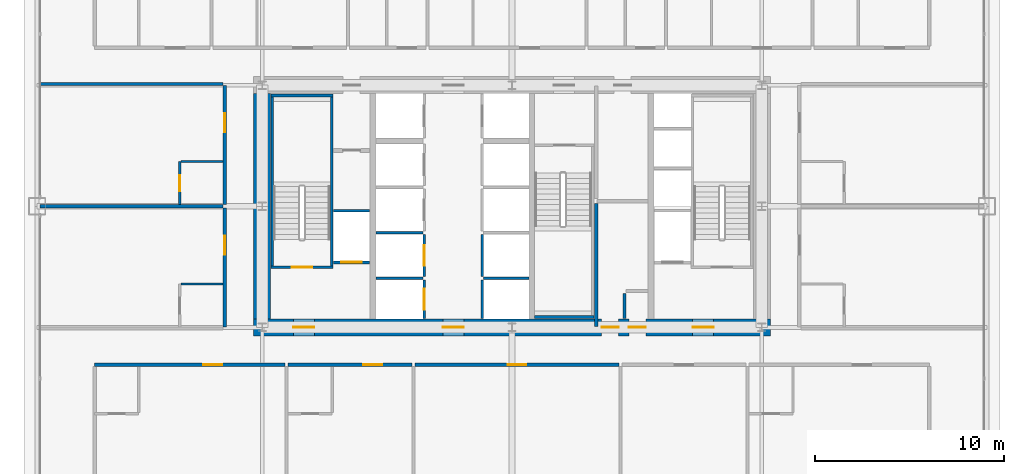
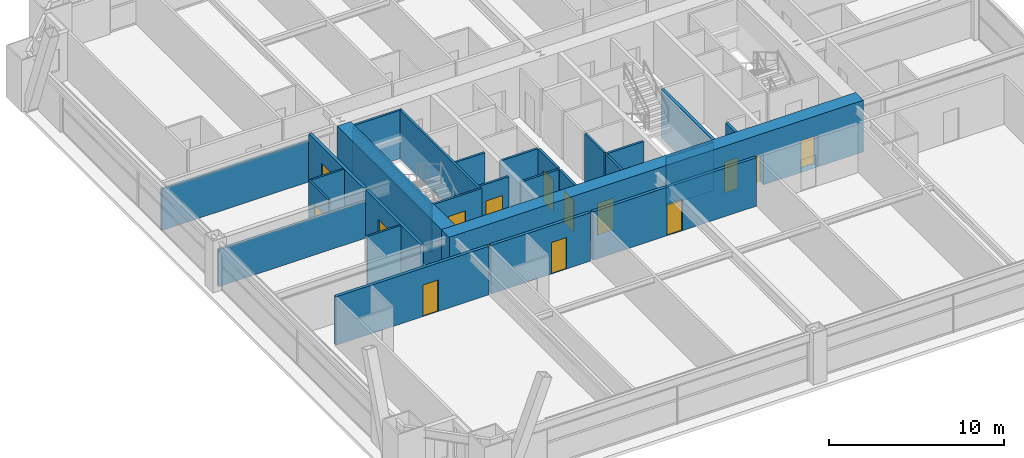
# One storey, part 39 of 43: 28 walls, 15 doors, 15 openings.
"""IFC4 building model written with IfcOpenShell, lengths in metres."""

import ifcopenshell
import ifcopenshell.guid

model = None  # the IFC model being written
_history = None  # IfcOwnerHistory: only IFC2X3 demands one
_inside = {}  # id of a spatial element -> (the spatial element, [elements in it])
_under = {}  # id of a project, library or spatial element -> (it, [spatial elements below it])
_declared = {}  # id of a project -> (the project, [libraries it declares])
_typed = {}  # id of a type object -> (the type object, [elements of that type])
_made_of = {}  # id of a material, layer set ... -> (it, [elements and type objects made of it])


def new_model(schema):
    """Start an empty IFC model of exactly this schema.

    Asked for "IFC4X3", IfcOpenShell would pick the latest addendum, in which some entities
    have other attributes; the version numbers below select the first issue.
    IFC2X3 requires an IfcOwnerHistory on every rooted entity: one is made here for all.
    """
    global model, _history
    if schema == "IFC4X3":
        model = ifcopenshell.file(schema_version=(4, 3, 0, 0))
    else:
        model = ifcopenshell.file(schema=schema)
    _inside.clear()
    _under.clear()
    _declared.clear()
    _typed.clear()
    _made_of.clear()
    _history = None
    if model.schema == "IFC2X3":
        org = make("IfcOrganization", Name="unknown")
        user = make(
            "IfcPersonAndOrganization",
            ThePerson=make("IfcPerson", FamilyName="unknown"),
            TheOrganization=org,
        )
        app = make(
            "IfcApplication",
            ApplicationDeveloper=org,
            Version="unknown",
            ApplicationFullName="unknown",
            ApplicationIdentifier="unknown",
        )
        _history = make(
            "IfcOwnerHistory",
            OwningUser=user,
            OwningApplication=app,
            ChangeAction="ADDED",
            CreationDate=0,
        )
    return model


def make(cls, **values):
    """One entity of the class cls with the attributes given. An attribute that is None is left unset."""
    return model.create_entity(
        cls, **{name: value for name, value in values.items() if value is not None}
    )


def rooted(cls, **values):
    """An entity with a GlobalId (a new one), such as an element, a storey or a relation."""
    return make(cls, GlobalId=ifcopenshell.guid.new(), OwnerHistory=_history, **values)


def si_unit(unit_type, name, prefix=None):
    """IfcSIUnit, for example si_unit("LENGTHUNIT", "METRE", prefix="MILLI")."""
    return make("IfcSIUnit", UnitType=unit_type, Prefix=prefix, Name=name)


def assignment(units):
    """IfcUnitAssignment: the units of a project."""
    return None if units is None else make("IfcUnitAssignment", Units=units)


def point(xyz):
    """IfcCartesianPoint."""
    return None if xyz is None else make("IfcCartesianPoint", Coordinates=xyz)


def direction(xyz):
    """IfcDirection."""
    return None if xyz is None else make("IfcDirection", DirectionRatios=xyz)


def frame(location, z_axis=None, x_axis=None):
    """IfcAxis2Placement3D, a coordinate frame: its origin and axes. An axis left out is left unset."""
    return make(
        "IfcAxis2Placement3D",
        Location=point(location),
        Axis=direction(z_axis),
        RefDirection=direction(x_axis),
    )


def frame_2d(location, x_axis=None):
    """IfcAxis2Placement2D, a coordinate frame in the plane: its origin and x axis."""
    return make(
        "IfcAxis2Placement2D", Location=point(location), RefDirection=direction(x_axis)
    )


def origin():
    """The frame at (0, 0, 0) with its axes left unset."""
    return frame((0.0, 0.0, 0.0))


def place(relative_to, where):
    """IfcLocalPlacement: puts the frame where relative to a parent placement (None: the world)."""
    return make(
        "IfcLocalPlacement", PlacementRelTo=relative_to, RelativePlacement=where
    )


def context(
    kind, dimensions, precision=None, world=None, true_north=None, identifier=None
):
    """IfcGeometricRepresentationContext, for example the 3D "Model" context."""
    return make(
        "IfcGeometricRepresentationContext",
        ContextIdentifier=identifier,
        ContextType=kind,
        CoordinateSpaceDimension=dimensions,
        Precision=precision,
        WorldCoordinateSystem=world,
        TrueNorth=true_north,
    )


def subcontext(parent, identifier, kind, view, scale=None):
    """IfcGeometricRepresentationSubContext, for example "Body" below "Model"."""
    return make(
        "IfcGeometricRepresentationSubContext",
        ContextIdentifier=identifier,
        ContextType=kind,
        ParentContext=parent,
        TargetScale=scale,
        TargetView=view,
    )


def project(units=None, contexts=None):
    """IfcProject with its units and contexts."""
    return rooted(
        "IfcProject",
        Name="project",
        RepresentationContexts=contexts,
        UnitsInContext=assignment(units),
    )


def spatial(cls, under=None, at=None, **own):
    """A site, building, storey or space (cls), placed at a placement, below another one or the project."""
    s = rooted(cls, ObjectPlacement=at, **own)
    if under is not None:
        _under.setdefault(under.id(), (under, []))[1].append(s)
    return s


def profile(cls, at=None, kind="AREA", **sizes):
    """A parametric profile (cls). Its sizes go by their IFC names, for example OverallWidth=200.0."""
    return make(cls, ProfileType=kind, Position=at, **sizes)


def rectangle(**sizes):
    """IfcRectangleProfileDef."""
    return profile("IfcRectangleProfileDef", **sizes)


def extrude(swept, where, along, depth):
    """IfcExtrudedAreaSolid: the profile swept, set in the frame where, extruded along a direction by depth."""
    return make(
        "IfcExtrudedAreaSolid",
        SweptArea=swept,
        Position=where,
        ExtrudedDirection=direction(along),
        Depth=depth,
    )


def shape(context_of_items, identifier, shape_type, items):
    """IfcShapeRepresentation: the items that make up one representation, for example the "Body"."""
    return make(
        "IfcShapeRepresentation",
        ContextOfItems=context_of_items,
        RepresentationIdentifier=identifier,
        RepresentationType=shape_type,
        Items=items,
    )


def source(mapping_origin, context_of_items, identifier, shape_type, items):
    """IfcRepresentationMap: a shape defined once, which mapped items show again and again."""
    return make(
        "IfcRepresentationMap",
        MappingOrigin=mapping_origin,
        MappedRepresentation=shape(context_of_items, identifier, shape_type, items),
    )


def transform(
    local_origin,
    x_axis=None,
    y_axis=None,
    z_axis=None,
    scale=None,
    scale2=None,
    scale3=None,
    uniform=True,
):
    """IfcCartesianTransformationOperator3D, or its non-uniform kind. x_axis, y_axis, z_axis: its Axis1, 2, 3."""
    if uniform:
        return make(
            "IfcCartesianTransformationOperator3D",
            Axis1=direction(x_axis),
            Axis2=direction(y_axis),
            LocalOrigin=point(local_origin),
            Scale=scale,
            Axis3=direction(z_axis),
        )
    return make(
        "IfcCartesianTransformationOperator3DnonUniform",
        Axis1=direction(x_axis),
        Axis2=direction(y_axis),
        LocalOrigin=point(local_origin),
        Scale=scale,
        Axis3=direction(z_axis),
        Scale2=scale2,
        Scale3=scale3,
    )


def mapped(mapping_source, mapping_target):
    """IfcMappedItem: shows the shape of a source again, moved by a transform."""
    return make(
        "IfcMappedItem", MappingSource=mapping_source, MappingTarget=mapping_target
    )


def material(Name=None, Category=None):
    """IfcMaterial."""
    return make("IfcMaterial", Name=Name, Category=Category)


def layer(
    of_material, thickness, ventilated=None, Name=None, Category=None, Priority=None
):
    """IfcMaterialLayer: one layer of a wall or slab, of a material (None: an air gap)."""
    return make(
        "IfcMaterialLayer",
        Material=of_material,
        LayerThickness=thickness,
        IsVentilated=ventilated,
        Name=Name,
        Category=Category,
        Priority=Priority,
    )


def layer_set(layers, Name=None):
    """IfcMaterialLayerSet."""
    return make("IfcMaterialLayerSet", MaterialLayers=layers, LayerSetName=Name)


def made_of(thing, what):
    """Note that an element or type object is made of a material, layer set ...; save() writes the relation."""
    if what is not None:
        _made_of.setdefault(what.id(), (what, []))[1].append(thing)
    return thing


def type_object(cls, material=None, **own):
    """A type object (cls), such as IfcWallType, which elements share."""
    return made_of(rooted(cls, **own), material)


def element(
    cls,
    number,
    at=None,
    inside=None,
    cuts=None,
    type_object=None,
    material=None,
    context=None,
    identifier="Body",
    shape_type=None,
    held_by="IfcProductDefinitionShape",
    body=None,
    shapes=None,
    **own,
):
    """One element of the class cls, such as IfcWall. Its Tag is "e" and its number.

    at: its placement. inside: the storey or other place that contains it. cuts: it is an
    opening in that element (IfcRelVoidsElement). A single representation is given by context,
    identifier, shape_type and body (its items); several are given by shapes. held_by: the class
    of the entity that holds the representations. save() writes the other relations.
    """
    e = rooted(cls, Tag="e%d" % number, ObjectPlacement=at, **own)
    if body is not None:
        shapes = [shape(context, identifier, shape_type, body)]
    if shapes is not None:
        e.Representation = make(held_by, Representations=shapes)
    if inside is not None:
        _inside.setdefault(inside.id(), (inside, []))[1].append(e)
    if cuts is not None:
        rooted(
            "IfcRelVoidsElement", RelatingBuildingElement=cuts, RelatedOpeningElement=e
        )
    if type_object is not None:
        _typed.setdefault(type_object.id(), (type_object, []))[1].append(e)
    return made_of(e, material)


def fill(opening, filler):
    """IfcRelFillsElement: the door or window that sits in an opening."""
    return rooted(
        "IfcRelFillsElement",
        RelatingOpeningElement=opening,
        RelatedBuildingElement=filler,
    )


def aggregate(whole, parts):
    """IfcRelAggregates: a whole, such as a stair, and the parts it consists of."""
    return rooted("IfcRelAggregates", RelatingObject=whole, RelatedObjects=parts)


def save(model, path):
    """Write the relations noted so far, then the file.

    IfcRelAggregates (storeys below a building ...), IfcRelContainedInSpatialStructure (elements
    in a storey), IfcRelDefinesByType, IfcRelAssociatesMaterial and IfcRelDeclares: one each for
    every whole, place, type object, material and project.
    """
    for whole, parts in _under.values():
        aggregate(whole, parts)
    for where, things in _inside.values():
        rooted(
            "IfcRelContainedInSpatialStructure",
            RelatedElements=things,
            RelatingStructure=where,
        )
    for kind, things in _typed.values():
        rooted("IfcRelDefinesByType", RelatedObjects=things, RelatingType=kind)
    for what, things in _made_of.values():
        rooted("IfcRelAssociatesMaterial", RelatedObjects=things, RelatingMaterial=what)
    for by, libraries in _declared.values():
        rooted("IfcRelDeclares", RelatingContext=by, RelatedDefinitions=libraries)
    model.write(path)


model = new_model("IFC4")

# Units and contexts
model_context = context("Model", 3, precision=1e-05, world=origin(), true_north=direction((0.0, 1.0)))
body_context = subcontext(model_context, "Body", "Model", "MODEL_VIEW")
ifc_project = project(units=[si_unit("LENGTHUNIT", "METRE"), si_unit("AREAUNIT", "SQUARE_METRE"), si_unit("VOLUMEUNIT", "CUBIC_METRE"), si_unit("PLANEANGLEUNIT", "RADIAN"), si_unit("MASSUNIT", "GRAM", prefix="KILO"), si_unit("THERMODYNAMICTEMPERATUREUNIT", "KELVIN"), si_unit("POWERUNIT", "WATT")], contexts=[model_context])

# Site, building, storey
site_placement = place(None, origin())
site = spatial("IfcSite", under=ifc_project, at=site_placement, CompositionType="ELEMENT")
building_placement = place(site_placement, origin())
building = spatial("IfcBuilding", under=site, at=building_placement, Name="Yuzanri Waterfront Tower", CompositionType="ELEMENT")
storey_placement = place(building_placement, frame((0.0, 0.0, 46.0)))
storey = spatial("IfcBuildingStorey", under=building, at=storey_placement, Name="L11", CompositionType="ELEMENT", Elevation=46.0)

# Wall, opening, door
ifc_material_1 = material(Name="Moisture-Resistant Gypsum Stud Wall", Category="gypsum")
ifc_layer_1 = layer(ifc_material_1, 0.1201171875)
ifc_layer_set_1 = layer_set([ifc_layer_1], Name="Moisture-Resistant Gypsum Stud Wall")
wall_type_1 = type_object("IfcWallType", Name="Bathroom and Kitchen Wet Partition 120", PredefinedType="PARTITIONING", material=ifc_layer_set_1)
wall_1_placement = place(storey_placement, frame((19.43994140625, 25.8798828125, 0.0), z_axis=(0.0, 0.0, 1.0), x_axis=(0.0, 1.0, 0.0)))
wall_1 = element("IfcWall", 1, at=wall_1_placement, inside=storey, type_object=wall_type_1, Name="L11 Partition UW-L11-W2-BW", PredefinedType="PARTITIONING", context=body_context, shape_type="SweptSolid", body=[
    extrude(rectangle(XDim=2.280029296875, YDim=0.1201171875, at=frame_2d((1.14013671875, 0.0))), origin(), (0.0, 0.0, 1.0), 3.3798828125),
])
opening_1_placement = place(wall_1_placement, frame((0.715087890625, 0.0, 0.0)))
opening_1 = element("IfcOpeningElement", 2, at=opening_1_placement, cuts=wall_1, Name="Opening ID-0850", PredefinedType="OPENING", context=body_context, shape_type="SweptSolid", body=[
    extrude(rectangle(XDim=0.85009765625, YDim=2.10009765625, at=frame_2d((0.425048828125, 1.050048828125))), frame((0.0, 0.074951171875, 0.0), z_axis=(0.0, -1.0, 0.0), x_axis=(1.0, 0.0, 0.0)), (0.0, 0.0, 1.0), 0.14990234375),
])
ifc_material_2 = material(Name="Moisture-Resistant Lacquered Timber", Category="wood")
door_type_1 = type_object("IfcDoorType", Name="En-Suite Bathroom and Kitchen Swing Door 850x2100", OperationType="NOTDEFINED", PredefinedType="DOOR", material=ifc_material_2)
shared_shape_1 = source(origin(), body_context, "Body", "SweptSolid", [
    extrude(rectangle(XDim=0.85009765625, YDim=2.10009765625, at=frame_2d((0.425048828125, 1.050048828125))), frame((0.0, 0.02490234375, 0.0), z_axis=(0.0, -1.0, 0.0), x_axis=(1.0, 0.0, 0.0)), (0.0, 0.0, 1.0), 0.050048828125),
])
door_1_placement = place(opening_1_placement, origin())
door_1 = element("IfcDoor", 3, at=door_1_placement, inside=storey, type_object=door_type_1, Name="L11 Guest En-Suite Door", OperationType="SINGLE_SWING_LEFT", OverallHeight=2.10009765625, OverallWidth=0.85009765625, PredefinedType="DOOR", context=body_context, shape_type="MappedRepresentation", body=[
    mapped(shared_shape_1, transform((0.0, 0.0, 0.0), scale=1.0)),
])
fill(opening_1, door_1)

# Wall, openings, doors
ifc_material_3 = material(Name="Concrete C60", Category="concrete")
ifc_layer_2 = layer(ifc_material_3, 0.89990234375)
ifc_layer_set_2 = layer_set([ifc_layer_2], Name="Concrete C60")
wall_type_2 = type_object("IfcWallType", Name="Concrete C60 Lower Zone Core Shear Wall 900", PredefinedType="SHEAR", material=ifc_layer_set_2)
wall_2_placement = place(storey_placement, frame((23.35009765625, 19.39990234375, 0.0), z_axis=(0.0, 0.0, 1.0), x_axis=(1.0, 0.0, 0.0)))
wall_2 = element("IfcWall", 4, at=wall_2_placement, inside=storey, type_object=wall_type_2, Name="L11 Core South Shear Wall", PredefinedType="SHEAR", context=body_context, shape_type="SweptSolid", body=[
    extrude(rectangle(XDim=27.2998046875, YDim=0.89990234375, at=frame_2d((13.64990234375, 0.0))), origin(), (0.0, 0.0, 1.0), 3.60009765625),
])
opening_2_placement = place(wall_2_placement, frame((2.10009765625, 0.0, 0.0)))
opening_2 = element("IfcOpeningElement", 5, at=opening_2_placement, cuts=wall_2, Name="Opening FD-1100", PredefinedType="OPENING", context=body_context, shape_type="SweptSolid", body=[
    extrude(rectangle(XDim=1.10009765625, YDim=2.199951171875, at=frame_2d((0.550048828125, 1.10009765625))), frame((0.0, 0.46484375, 0.0), z_axis=(0.0, -1.0, 0.0), x_axis=(1.0, 0.0, 0.0)), (0.0, 0.0, 1.0), 0.9296875),
])
opening_3_placement = place(wall_2_placement, frame((10.0, 0.0, 0.0)))
opening_3 = element("IfcOpeningElement", 6, at=opening_3_placement, cuts=wall_2, Name="Opening FD-1100", PredefinedType="OPENING", context=body_context, shape_type="SweptSolid", body=[
    extrude(rectangle(XDim=1.10009765625, YDim=2.199951171875, at=frame_2d((0.550048828125, 1.10009765625))), frame((0.0, 0.46484375, 0.0), z_axis=(0.0, -1.0, 0.0), x_axis=(1.0, 0.0, 0.0)), (0.0, 0.0, 1.0), 0.9296875),
])
opening_4_placement = place(wall_2_placement, frame((23.199951171875, 0.0, 0.0)))
opening_4 = element("IfcOpeningElement", 7, at=opening_4_placement, cuts=wall_2, Name="Opening FD-1100", PredefinedType="OPENING", context=body_context, shape_type="SweptSolid", body=[
    extrude(rectangle(XDim=1.10009765625, YDim=2.199951171875, at=frame_2d((0.550048828125, 1.10009765625))), frame((0.0, 0.46484375, 0.0), z_axis=(0.0, -1.0, 0.0), x_axis=(1.0, 0.0, 0.0)), (0.0, 0.0, 1.0), 0.9296875),
])
opening_5_placement = place(wall_2_placement, frame((19.820068359375, 0.0, 0.0)))
opening_5 = element("IfcOpeningElement", 8, at=opening_5_placement, cuts=wall_2, Name="Opening FD-0900", PredefinedType="OPENING", context=body_context, shape_type="SweptSolid", body=[
    extrude(rectangle(XDim=0.89990234375, YDim=2.14990234375, at=frame_2d((0.449951171875, 1.074951171875))), frame((0.0, 0.46484375, 0.0), z_axis=(0.0, -1.0, 0.0), x_axis=(1.0, 0.0, 0.0)), (0.0, 0.0, 1.0), 0.9296875),
])
opening_6_placement = place(wall_2_placement, frame((18.3798828125, 0.0, 0.0)))
opening_6 = element("IfcOpeningElement", 9, at=opening_6_placement, cuts=wall_2, Name="Opening FD-0900", PredefinedType="OPENING", context=body_context, shape_type="SweptSolid", body=[
    extrude(rectangle(XDim=0.89990234375, YDim=2.14990234375, at=frame_2d((0.449951171875, 1.074951171875))), frame((0.0, 0.46484375, 0.0), z_axis=(0.0, -1.0, 0.0), x_axis=(1.0, 0.0, 0.0)), (0.0, 0.0, 1.0), 0.9296875),
])
ifc_material_4 = material(Name="Painted Galvanized Fire Steel", Category="steel")
door_type_2 = type_object("IfcDoorType", Name="Smoke-Proof Stair and Lobby Fire Door 1100x2200", OperationType="NOTDEFINED", PredefinedType="DOOR", material=ifc_material_4)
shared_shape_2 = source(origin(), body_context, "Body", "SweptSolid", [
    extrude(rectangle(XDim=1.10009765625, YDim=2.199951171875, at=frame_2d((0.550048828125, 1.10009765625))), frame((0.0, 0.02490234375, 0.0), z_axis=(0.0, -1.0, 0.0), x_axis=(1.0, 0.0, 0.0)), (0.0, 0.0, 1.0), 0.050048828125),
])
door_2_placement = place(opening_2_placement, origin())
door_2 = element("IfcDoor", 10, at=door_2_placement, inside=storey, type_object=door_type_2, Name="L11 West Firefighting Lobby Door", OperationType="SINGLE_SWING_RIGHT", OverallHeight=2.199951171875, OverallWidth=1.10009765625, PredefinedType="DOOR", context=body_context, shape_type="MappedRepresentation", body=[
    mapped(shared_shape_2, transform((0.0, 0.0, 0.0), scale=1.0)),
])
fill(opening_2, door_2)
door_3_placement = place(opening_3_placement, origin())
door_3 = element("IfcDoor", 11, at=door_3_placement, inside=storey, type_object=door_type_2, Name="L11 Central Lift Lobby South Door", OperationType="SINGLE_SWING_LEFT", OverallHeight=2.199951171875, OverallWidth=1.10009765625, PredefinedType="DOOR", context=body_context, shape_type="MappedRepresentation", body=[
    mapped(shared_shape_2, transform((0.0, 0.0, 0.0), scale=1.0)),
])
fill(opening_3, door_3)
door_4_placement = place(opening_4_placement, origin())
door_4 = element("IfcDoor", 12, at=door_4_placement, inside=storey, type_object=door_type_2, Name="L11 East Firefighting Lobby Door", OperationType="SINGLE_SWING_RIGHT", OverallHeight=2.199951171875, OverallWidth=1.10009765625, PredefinedType="DOOR", context=body_context, shape_type="MappedRepresentation", body=[
    mapped(shared_shape_2, transform((0.0, 0.0, 0.0), scale=1.0)),
])
fill(opening_4, door_4)
ifc_material_5 = material(Name="Painted Galvanized Fire Steel", Category="steel")
door_type_3 = type_object("IfcDoorType", Name="Riser and Service Room Fire Door 900x2150", OperationType="NOTDEFINED", PredefinedType="DOOR", material=ifc_material_5)
shared_shape_3 = source(origin(), body_context, "Body", "SweptSolid", [
    extrude(rectangle(XDim=0.89990234375, YDim=2.14990234375, at=frame_2d((0.449951171875, 1.074951171875))), frame((0.0, 0.02490234375, 0.0), z_axis=(0.0, -1.0, 0.0), x_axis=(1.0, 0.0, 0.0)), (0.0, 0.0, 1.0), 0.050048828125),
])
door_5_placement = place(opening_5_placement, origin())
door_5 = element("IfcDoor", 13, at=door_5_placement, inside=storey, type_object=door_type_3, Name="L11 East Wet Riser Door", OperationType="SINGLE_SWING_LEFT", OverallHeight=2.14990234375, OverallWidth=0.89990234375, PredefinedType="DOOR", context=body_context, shape_type="MappedRepresentation", body=[
    mapped(shared_shape_3, transform((0.0, 0.0, 0.0), scale=1.0)),
])
fill(opening_5, door_5)
door_6_placement = place(opening_6_placement, origin())
door_6 = element("IfcDoor", 14, at=door_6_placement, inside=storey, type_object=door_type_3, Name="L11 Meter and Valve Store Room", OperationType="SINGLE_SWING_RIGHT", OverallHeight=2.14990234375, OverallWidth=0.89990234375, PredefinedType="DOOR", context=body_context, shape_type="MappedRepresentation", body=[
    mapped(shared_shape_3, transform((0.0, 0.0, 0.0), scale=1.0)),
])
fill(opening_6, door_6)

# Wall, opening, door
ifc_material_6 = material(Name="Concrete C40", Category="concrete")
ifc_layer_3 = layer(ifc_material_6, 0.139892578125)
ifc_layer_set_3 = layer_set([ifc_layer_3], Name="Concrete C40")
wall_type_3 = type_object("IfcWallType", Name="Core Stair Liner and Hoistway Shaft Wall 140", PredefinedType="SOLIDWALL", material=ifc_layer_set_3)
wall_3_placement = place(storey_placement, frame((27.56005859375, 22.830078125, 0.0), z_axis=(0.0, 0.0, 1.0), x_axis=(1.0, 0.0, 0.0)))
wall_3 = element("IfcWall", 15, at=wall_3_placement, inside=storey, type_object=wall_type_3, Name="L11 Lift FL-01 Front Shaft Wall", PredefinedType="SOLIDWALL", context=body_context, shape_type="SweptSolid", body=[
    extrude(rectangle(XDim=1.919921875, YDim=0.139892578125, at=frame_2d((0.9599609375, 0.0))), origin(), (0.0, 0.0, 1.0), 3.3798828125),
])
opening_7_placement = place(wall_3_placement, frame((0.409912109375, 0.0, 0.0)))
opening_7 = element("IfcOpeningElement", 16, at=opening_7_placement, cuts=wall_3, Name="Opening LD-FL-01", PredefinedType="OPENING", context=body_context, shape_type="SweptSolid", body=[
    extrude(rectangle(XDim=1.10009765625, YDim=2.199951171875, at=frame_2d((0.550048828125, 1.10009765625))), frame((0.0, 0.0849609375, 0.0), z_axis=(0.0, -1.0, 0.0), x_axis=(1.0, 0.0, 0.0)), (0.0, 0.0, 1.0), 0.169677734375),
])
ifc_material_7 = material(Name="Brushed Bronze and Stainless Steel Cab", Category="steel")
door_type_4 = type_object("IfcDoorType", Name="Center-Parting Bronze Lift Landing Sliding Door 1100x2200", OperationType="NOTDEFINED", PredefinedType="DOOR", material=ifc_material_7)
shared_shape_4 = source(origin(), body_context, "Body", "SweptSolid", [
    extrude(rectangle(XDim=1.10009765625, YDim=2.199951171875, at=frame_2d((0.550048828125, 1.10009765625))), frame((0.0, 0.02490234375, 0.0), z_axis=(0.0, -1.0, 0.0), x_axis=(1.0, 0.0, 0.0)), (0.0, 0.0, 1.0), 0.050048828125),
])
door_7_placement = place(opening_7_placement, origin())
door_7 = element("IfcDoor", 17, at=door_7_placement, inside=storey, type_object=door_type_4, Name="L11 FL-01 Lift Landing Sliding Door", OperationType="SLIDING_TO_LEFT", OverallHeight=2.199951171875, OverallWidth=1.10009765625, PredefinedType="DOOR", context=body_context, shape_type="MappedRepresentation", body=[
    mapped(shared_shape_4, transform((0.0, 0.0, 0.0), scale=1.0)),
])
fill(opening_7, door_7)

wall_4_placement = place(storey_placement, frame((32.3701171875, 19.860107421875, 0.0), z_axis=(0.0, 0.0, 1.0), x_axis=(0.0, 1.0, 0.0)))
wall_4 = element("IfcWall", 18, at=wall_4_placement, inside=storey, type_object=wall_type_3, Name="L11 Lift PL-01 Front Shaft Wall", PredefinedType="SOLIDWALL", context=body_context, shape_type="SweptSolid", body=[
    extrude(rectangle(XDim=2.039794921875, YDim=0.139892578125, at=frame_2d((1.02001953125, 0.0))), origin(), (0.0, 0.0, 1.0), 3.3798828125),
])
opening_8_placement = place(wall_4_placement, frame((0.469970703125, 0.0, 0.0)))
opening_8 = element("IfcOpeningElement", 19, at=opening_8_placement, cuts=wall_4, Name="Opening LD-PL-01", PredefinedType="OPENING", context=body_context, shape_type="SweptSolid", body=[
    extrude(rectangle(XDim=1.10009765625, YDim=2.199951171875, at=frame_2d((0.550048828125, 1.10009765625))), frame((0.0, 0.0849609375, 0.0), z_axis=(0.0, -1.0, 0.0), x_axis=(1.0, 0.0, 0.0)), (0.0, 0.0, 1.0), 0.169677734375),
])
door_8_placement = place(opening_8_placement, origin())
door_8 = element("IfcDoor", 20, at=door_8_placement, inside=storey, type_object=door_type_4, Name="L11 PL-01 Lift Landing Sliding Door", OperationType="SLIDING_TO_LEFT", OverallHeight=2.199951171875, OverallWidth=1.10009765625, PredefinedType="DOOR", context=body_context, shape_type="MappedRepresentation", body=[
    mapped(shared_shape_4, transform((0.0, 0.0, 0.0), scale=1.0)),
])
fill(opening_8, door_8)

wall_5_placement = place(storey_placement, frame((32.3701171875, 22.10009765625, 0.0), z_axis=(0.0, 0.0, 1.0), x_axis=(0.0, 1.0, 0.0)))
wall_5 = element("IfcWall", 21, at=wall_5_placement, inside=storey, type_object=wall_type_3, Name="L11 Lift PL-02 Front Shaft Wall", PredefinedType="SOLIDWALL", context=body_context, shape_type="SweptSolid", body=[
    extrude(rectangle(XDim=2.199951171875, YDim=0.139892578125, at=frame_2d((1.10009765625, 0.0))), origin(), (0.0, 0.0, 1.0), 3.3798828125),
])
opening_9_placement = place(wall_5_placement, frame((0.550048828125, 0.0, 0.0)))
opening_9 = element("IfcOpeningElement", 22, at=opening_9_placement, cuts=wall_5, Name="Opening LD-PL-02", PredefinedType="OPENING", context=body_context, shape_type="SweptSolid", body=[
    extrude(rectangle(XDim=1.10009765625, YDim=2.199951171875, at=frame_2d((0.550048828125, 1.10009765625))), frame((0.0, 0.0849609375, 0.0), z_axis=(0.0, -1.0, 0.0), x_axis=(1.0, 0.0, 0.0)), (0.0, 0.0, 1.0), 0.169677734375),
])
door_9_placement = place(opening_9_placement, origin())
door_9 = element("IfcDoor", 23, at=door_9_placement, inside=storey, type_object=door_type_4, Name="L11 PL-02 Lift Landing Sliding Door", OperationType="SLIDING_TO_RIGHT", OverallHeight=2.199951171875, OverallWidth=1.10009765625, PredefinedType="DOOR", context=body_context, shape_type="MappedRepresentation", body=[
    mapped(shared_shape_4, transform((0.0, 0.0, 0.0), scale=1.0)),
])
fill(opening_9, door_9)

wall_6_placement = place(storey_placement, frame((24.260009765625, 22.570068359375, 0.0), z_axis=(0.0, 0.0, 1.0), x_axis=(1.0, 0.0, 0.0)))
wall_6 = element("IfcWall", 24, at=wall_6_placement, inside=storey, type_object=wall_type_3, Name="L11 Shaft Wall STW-L11-ST-01-S", PredefinedType="SOLIDWALL", context=body_context, shape_type="SweptSolid", body=[
    extrude(rectangle(XDim=3.280029296875, YDim=0.139892578125, at=frame_2d((1.64013671875, 0.0))), origin(), (0.0, 0.0, 1.0), 3.3798828125),
])
opening_10_placement = place(wall_6_placement, frame((1.090087890625, 0.0, 0.0)))
opening_10 = element("IfcOpeningElement", 25, at=opening_10_placement, cuts=wall_6, Name="Opening FD-1100", PredefinedType="OPENING", context=body_context, shape_type="SweptSolid", body=[
    extrude(rectangle(XDim=1.10009765625, YDim=2.199951171875, at=frame_2d((0.550048828125, 1.10009765625))), frame((0.0, 0.0849609375, 0.0), z_axis=(0.0, -1.0, 0.0), x_axis=(1.0, 0.0, 0.0)), (0.0, 0.0, 1.0), 0.169677734375),
])
door_10_placement = place(opening_10_placement, origin())
door_10 = element("IfcDoor", 26, at=door_10_placement, inside=storey, type_object=door_type_2, Name="L11 Stair ST-01 Fire Door", OperationType="SINGLE_SWING_LEFT", OverallHeight=2.199951171875, OverallWidth=1.10009765625, PredefinedType="DOOR", context=body_context, shape_type="MappedRepresentation", body=[
    mapped(shared_shape_2, transform((0.0, 0.0, 0.0), scale=1.0)),
])
fill(opening_10, door_10)

ifc_material_8 = material(Name="Autoclaved Aerated Concrete Blockwork", Category="masonry")
ifc_layer_4 = layer(ifc_material_8, 0.199951171875)
ifc_layer_set_4 = layer_set([ifc_layer_4], Name="Autoclaved Aerated Concrete Blockwork")
wall_type_4 = type_object("IfcWallType", Name="Corridor and Unit Party Fire Wall 200", PredefinedType="PARTITIONING", material=ifc_layer_set_4)
wall_7_placement = place(storey_placement, frame((14.93994140625, 17.419921875, 0.0), z_axis=(0.0, 0.0, 1.0), x_axis=(1.0, 0.0, 0.0)))
wall_7 = element("IfcWall", 27, at=wall_7_placement, inside=storey, type_object=wall_type_4, Name="L11 Partition UW-L11-S1-CN", PredefinedType="PARTITIONING", context=body_context, shape_type="SweptSolid", body=[
    extrude(rectangle(XDim=10.068115234375, YDim=0.199951171875, at=frame_2d((5.0341796875, 0.0))), origin(), (0.0, 0.0, 1.0), 3.3798828125),
])
opening_11_placement = place(wall_7_placement, frame((5.739013671875, 0.0, 0.0)))
opening_11 = element("IfcOpeningElement", 28, at=opening_11_placement, cuts=wall_7, Name="Opening FD-1000", PredefinedType="OPENING", context=body_context, shape_type="SweptSolid", body=[
    extrude(rectangle(XDim=1.0, YDim=2.199951171875, at=frame_2d((0.5, 1.10009765625))), frame((0.0, 0.11474609375, 0.0), z_axis=(0.0, -1.0, 0.0), x_axis=(1.0, 0.0, 0.0)), (0.0, 0.0, 1.0), 0.229736328125),
])
ifc_material_9 = material(Name="Engineered Oak Fire-Rated Timber", Category="wood")
door_type_5 = type_object("IfcDoorType", Name="Guestroom and Apartment Entrance Fire Door 1000x2200", OperationType="NOTDEFINED", PredefinedType="DOOR", material=ifc_material_9)
shared_shape_5 = source(origin(), body_context, "Body", "SweptSolid", [
    extrude(rectangle(XDim=1.0, YDim=2.199951171875, at=frame_2d((0.5, 1.10009765625))), frame((0.0, 0.02490234375, 0.0), z_axis=(0.0, -1.0, 0.0), x_axis=(1.0, 0.0, 0.0)), (0.0, 0.0, 1.0), 0.050048828125),
])
door_11_placement = place(opening_11_placement, origin())
door_11 = element("IfcDoor", 29, at=door_11_placement, inside=storey, type_object=door_type_5, Name="L11 Corner Suite Entrance Door", OperationType="SINGLE_SWING_RIGHT", OverallHeight=2.199951171875, OverallWidth=1.0, PredefinedType="DOOR", context=body_context, shape_type="MappedRepresentation", body=[
    mapped(shared_shape_5, transform((0.0, 0.0, 0.0), scale=1.0)),
])
fill(opening_11, door_11)

wall_8_placement = place(storey_placement, frame((25.16796875, 17.419921875, 0.0), z_axis=(0.0, 0.0, 1.0), x_axis=(1.0, 0.0, 0.0)))
wall_8 = element("IfcWall", 30, at=wall_8_placement, inside=storey, type_object=wall_type_4, Name="L11 Partition UW-L11-S2-CN", PredefinedType="PARTITIONING", context=body_context, shape_type="SweptSolid", body=[
    extrude(rectangle(XDim=6.546142578125, YDim=0.199951171875, at=frame_2d((3.27294921875, 0.0))), origin(), (0.0, 0.0, 1.0), 3.3798828125),
])
opening_12_placement = place(wall_8_placement, frame((3.97802734375, 0.0, 0.0)))
opening_12 = element("IfcOpeningElement", 31, at=opening_12_placement, cuts=wall_8, Name="Opening FD-1000", PredefinedType="OPENING", context=body_context, shape_type="SweptSolid", body=[
    extrude(rectangle(XDim=1.0, YDim=2.199951171875, at=frame_2d((0.5, 1.10009765625))), frame((0.0, 0.11474609375, 0.0), z_axis=(0.0, -1.0, 0.0), x_axis=(1.0, 0.0, 0.0)), (0.0, 0.0, 1.0), 0.229736328125),
])
door_12_placement = place(opening_12_placement, origin())
door_12 = element("IfcDoor", 32, at=door_12_placement, inside=storey, type_object=door_type_5, Name="L11 Premier Junior Suite Entrance Door", OperationType="SINGLE_SWING_RIGHT", OverallHeight=2.199951171875, OverallWidth=1.0, PredefinedType="DOOR", context=body_context, shape_type="MappedRepresentation", body=[
    mapped(shared_shape_5, transform((0.0, 0.0, 0.0), scale=1.0)),
])
fill(opening_12, door_12)

wall_9_placement = place(storey_placement, frame((31.8740234375, 17.419921875, 0.0), z_axis=(0.0, 0.0, 1.0), x_axis=(1.0, 0.0, 0.0)))
wall_9 = element("IfcWall", 33, at=wall_9_placement, inside=storey, type_object=wall_type_4, Name="L11 Partition UW-L11-S3-CN", PredefinedType="PARTITIONING", context=body_context, shape_type="SweptSolid", body=[
    extrude(rectangle(XDim=10.781982421875, YDim=0.199951171875, at=frame_2d((5.39111328125, 0.0))), origin(), (0.0, 0.0, 1.0), 3.3798828125),
])
opening_13_placement = place(wall_9_placement, frame((4.89111328125, 0.0, 0.0)))
opening_13 = element("IfcOpeningElement", 34, at=opening_13_placement, cuts=wall_9, Name="Opening FD-1000", PredefinedType="OPENING", context=body_context, shape_type="SweptSolid", body=[
    extrude(rectangle(XDim=1.0, YDim=2.199951171875, at=frame_2d((0.5, 1.10009765625))), frame((0.0, 0.11474609375, 0.0), z_axis=(0.0, -1.0, 0.0), x_axis=(1.0, 0.0, 0.0)), (0.0, 0.0, 1.0), 0.229736328125),
])
door_13_placement = place(opening_13_placement, origin())
door_13 = element("IfcDoor", 35, at=door_13_placement, inside=storey, type_object=door_type_5, Name="L11 Boardroom Meeting Room Entrance Door", OperationType="SINGLE_SWING_RIGHT", OverallHeight=2.199951171875, OverallWidth=1.0, PredefinedType="DOOR", context=body_context, shape_type="MappedRepresentation", body=[
    mapped(shared_shape_5, transform((0.0, 0.0, 0.0), scale=1.0)),
])
fill(opening_13, door_13)

wall_10_placement = place(storey_placement, frame((21.820068359375, 19.409912109375, 0.0), z_axis=(0.0, 0.0, 1.0), x_axis=(0.0, 1.0, 0.0)))
wall_10 = element("IfcWall", 36, at=wall_10_placement, inside=storey, type_object=wall_type_4, Name="L11 Partition UW-L11-W1-CW", PredefinedType="PARTITIONING", context=body_context, shape_type="SweptSolid", body=[
    extrude(rectangle(XDim=6.31005859375, YDim=0.199951171875, at=frame_2d((3.155029296875, 0.0))), origin(), (0.0, 0.0, 1.0), 3.3798828125),
])
opening_14_placement = place(wall_10_placement, frame((3.8349609375, 0.0, 0.0)))
opening_14 = element("IfcOpeningElement", 37, at=opening_14_placement, cuts=wall_10, Name="Opening FD-1000", PredefinedType="OPENING", context=body_context, shape_type="SweptSolid", body=[
    extrude(rectangle(XDim=1.0, YDim=2.199951171875, at=frame_2d((0.5, 1.10009765625))), frame((0.0, 0.11474609375, 0.0), z_axis=(0.0, -1.0, 0.0), x_axis=(1.0, 0.0, 0.0)), (0.0, 0.0, 1.0), 0.229736328125),
])
door_14_placement = place(opening_14_placement, origin())
door_14 = element("IfcDoor", 38, at=door_14_placement, inside=storey, type_object=door_type_5, Name="L11 West Guest Room Entrance Door", OperationType="SINGLE_SWING_RIGHT", OverallHeight=2.199951171875, OverallWidth=1.0, PredefinedType="DOOR", context=body_context, shape_type="MappedRepresentation", body=[
    mapped(shared_shape_5, transform((0.0, 0.0, 0.0), scale=1.0)),
])
fill(opening_14, door_14)

wall_11_placement = place(storey_placement, frame((21.820068359375, 25.8798828125, 0.0), z_axis=(0.0, 0.0, 1.0), x_axis=(0.0, 1.0, 0.0)))
wall_11 = element("IfcWall", 39, at=wall_11_placement, inside=storey, type_object=wall_type_4, Name="L11 Partition UW-L11-W2-CW", PredefinedType="PARTITIONING", context=body_context, shape_type="SweptSolid", body=[
    extrude(rectangle(XDim=6.31005859375, YDim=0.199951171875, at=frame_2d((3.155029296875, 0.0))), origin(), (0.0, 0.0, 1.0), 3.3798828125),
])
opening_15_placement = place(wall_11_placement, frame((3.8349609375, 0.0, 0.0)))
opening_15 = element("IfcOpeningElement", 40, at=opening_15_placement, cuts=wall_11, Name="Opening FD-1000", PredefinedType="OPENING", context=body_context, shape_type="SweptSolid", body=[
    extrude(rectangle(XDim=1.0, YDim=2.199951171875, at=frame_2d((0.5, 1.10009765625))), frame((0.0, 0.11474609375, 0.0), z_axis=(0.0, -1.0, 0.0), x_axis=(1.0, 0.0, 0.0)), (0.0, 0.0, 1.0), 0.229736328125),
])
door_15_placement = place(opening_15_placement, origin())
door_15 = element("IfcDoor", 41, at=door_15_placement, inside=storey, type_object=door_type_5, Name="L11 West Guest Room Entrance Door", OperationType="SINGLE_SWING_RIGHT", OverallHeight=2.199951171875, OverallWidth=1.0, PredefinedType="DOOR", context=body_context, shape_type="MappedRepresentation", body=[
    mapped(shared_shape_5, transform((0.0, 0.0, 0.0), scale=1.0)),
])
fill(opening_15, door_15)

# Walls
shared_shape_6 = source(origin(), body_context, "Body", "SweptSolid", [
    extrude(rectangle(XDim=11.89990234375, YDim=0.89990234375, at=frame_2d((5.949951171875, 0.0))), origin(), (0.0, 0.0, 1.0), 3.60009765625),
])
wall_12_placement = place(storey_placement, frame((23.800048828125, 19.85009765625, 0.0), z_axis=(0.0, 0.0, 1.0), x_axis=(0.0, 1.0, 0.0)))
element("IfcWall", 42, at=wall_12_placement, inside=storey, type_object=wall_type_2, Name="L11 Core West Shear Wall", PredefinedType="SHEAR", context=body_context, shape_type="MappedRepresentation", body=[
    mapped(shared_shape_6, transform((0.0, 0.0, 0.0), scale=1.0)),
])
shared_shape_7 = source(origin(), body_context, "Body", "SweptSolid", [
    extrude(rectangle(XDim=1.919921875, YDim=0.139892578125, at=frame_2d((0.9599609375, 0.0))), origin(), (0.0, 0.0, 1.0), 3.3798828125),
])
wall_13_placement = place(storey_placement, frame((27.56005859375, 25.570068359375, 0.0), z_axis=(0.0, 0.0, 1.0), x_axis=(1.0, 0.0, 0.0)))
element("IfcWall", 43, at=wall_13_placement, inside=storey, type_object=wall_type_3, Name="L11 Lift FL-01 Back Shaft Wall", PredefinedType="SOLIDWALL", context=body_context, shape_type="MappedRepresentation", body=[
    mapped(shared_shape_7, transform((0.0, 0.0, 0.0), scale=1.0)),
])
shared_shape_8 = source(origin(), body_context, "Body", "SweptSolid", [
    extrude(rectangle(XDim=2.5, YDim=0.139892578125, at=frame_2d((1.25, 0.0))), origin(), (0.0, 0.0, 1.0), 3.3798828125),
])
for number, where, z_axis, x_axis, name in (
    (44, (29.800048828125, 22.0, 0.0), (0.0, 0.0, 1.0), (1.0, 0.0, 0.0), "L11 Lift PL-01 Divider Wall"),
    (45, (29.800048828125, 24.39990234375, 0.0), (0.0, 0.0, 1.0), (1.0, 0.0, 0.0), "L11 Lift PL-02 Divider Wall"),
):
    element("IfcWall", number, at=place(storey_placement, frame(where, z_axis=z_axis, x_axis=x_axis)), inside=storey, type_object=wall_type_3, Name=name, PredefinedType="SOLIDWALL", context=body_context, shape_type="MappedRepresentation", body=[
        mapped(shared_shape_8, transform((0.0, 0.0, 0.0), scale=1.0)),
    ])
shared_shape_9 = source(origin(), body_context, "Body", "SweptSolid", [
    extrude(rectangle(XDim=2.039794921875, YDim=0.139892578125, at=frame_2d((1.02001953125, 0.0))), origin(), (0.0, 0.0, 1.0), 3.3798828125),
])
wall_14_placement = place(storey_placement, frame((35.429931640625, 19.860107421875, 0.0), z_axis=(0.0, 0.0, 1.0), x_axis=(0.0, 1.0, 0.0)))
element("IfcWall", 46, at=wall_14_placement, inside=storey, type_object=wall_type_3, Name="L11 Lift PL-05 Front Shaft Wall", PredefinedType="SOLIDWALL", context=body_context, shape_type="MappedRepresentation", body=[
    mapped(shared_shape_9, transform((0.0, 0.0, 0.0), scale=1.0)),
])
shared_shape_10 = source(origin(), body_context, "Body", "SweptSolid", [
    extrude(rectangle(XDim=2.39990234375, YDim=0.139892578125, at=frame_2d((1.199951171875, 0.0))), origin(), (0.0, 0.0, 1.0), 3.3798828125),
])
wall_15_placement = place(storey_placement, frame((35.5, 22.0, 0.0), z_axis=(0.0, 0.0, 1.0), x_axis=(1.0, 0.0, 0.0)))
element("IfcWall", 47, at=wall_15_placement, inside=storey, type_object=wall_type_3, Name="L11 Lift PL-05 Divider Wall", PredefinedType="SOLIDWALL", context=body_context, shape_type="MappedRepresentation", body=[
    mapped(shared_shape_10, transform((0.0, 0.0, 0.0), scale=1.0)),
])
shared_shape_11 = source(origin(), body_context, "Body", "SweptSolid", [
    extrude(rectangle(XDim=2.199951171875, YDim=0.139892578125, at=frame_2d((1.10009765625, 0.0))), origin(), (0.0, 0.0, 1.0), 3.3798828125),
])
wall_16_placement = place(storey_placement, frame((35.429931640625, 22.10009765625, 0.0), z_axis=(0.0, 0.0, 1.0), x_axis=(0.0, 1.0, 0.0)))
element("IfcWall", 48, at=wall_16_placement, inside=storey, type_object=wall_type_3, Name="L11 Lift PL-06 Front Shaft Wall", PredefinedType="SOLIDWALL", context=body_context, shape_type="MappedRepresentation", body=[
    mapped(shared_shape_11, transform((0.0, 0.0, 0.0), scale=1.0)),
])
shared_shape_12 = source(origin(), body_context, "Body", "SweptSolid", [
    extrude(rectangle(XDim=3.280029296875, YDim=0.139892578125, at=frame_2d((1.64013671875, 0.0))), origin(), (0.0, 0.0, 1.0), 3.3798828125),
])
wall_17_placement = place(storey_placement, frame((24.260009765625, 31.64990234375, 0.0), z_axis=(0.0, 0.0, 1.0), x_axis=(1.0, 0.0, 0.0)))
element("IfcWall", 49, at=wall_17_placement, inside=storey, type_object=wall_type_3, Name="L11 Stair ST-01 North Shaft Wall", PredefinedType="SOLIDWALL", context=body_context, shape_type="MappedRepresentation", body=[
    mapped(shared_shape_12, transform((0.0, 0.0, 0.0), scale=1.0)),
])
shared_shape_13 = source(origin(), body_context, "Body", "SweptSolid", [
    extrude(rectangle(XDim=8.940185546875, YDim=0.139892578125, at=frame_2d((4.47021484375, 0.0))), origin(), (0.0, 0.0, 1.0), 3.3798828125),
])
for number, where, z_axis, x_axis, name in (
    (50, (24.330078125, 22.639892578125, 0.0), (0.0, 0.0, 1.0), (0.0, 1.0, 0.0), "L11 Stair ST-01 West Shaft Wall"),
    (51, (27.469970703125, 22.639892578125, 0.0), (0.0, 0.0, 1.0), (0.0, 1.0, 0.0), "L11 Stair ST-01 East Shaft Wall"),
):
    element("IfcWall", number, at=place(storey_placement, frame(where, z_axis=z_axis, x_axis=x_axis)), inside=storey, type_object=wall_type_3, Name=name, PredefinedType="SOLIDWALL", context=body_context, shape_type="MappedRepresentation", body=[
        mapped(shared_shape_13, transform((0.0, 0.0, 0.0), scale=1.0)),
    ])
shared_shape_14 = source(origin(), body_context, "Body", "SweptSolid", [
    extrude(rectangle(XDim=3.14013671875, YDim=0.139892578125, at=frame_2d((1.570068359375, 0.0))), origin(), (0.0, 0.0, 1.0), 3.3798828125),
])
wall_18_placement = place(storey_placement, frame((38.199951171875, 19.949951171875, 0.0), z_axis=(0.0, 0.0, 1.0), x_axis=(1.0, 0.0, 0.0)))
element("IfcWall", 52, at=wall_18_placement, inside=storey, type_object=wall_type_3, Name="L11 Stair ST-03 South Shaft Wall", PredefinedType="SOLIDWALL", context=body_context, shape_type="MappedRepresentation", body=[
    mapped(shared_shape_14, transform((0.0, 0.0, 0.0), scale=1.0)),
])
ifc_material_10 = material(Name="Gypsum Fireboard Acoustic Stud Wall", Category="gypsum")
ifc_layer_5 = layer(ifc_material_10, 0.159912109375)
ifc_layer_set_5 = layer_set([ifc_layer_5], Name="Gypsum Fireboard Acoustic Stud Wall")
wall_type_5 = type_object("IfcWallType", Name="Acoustic Suite Demising Partition 160", PredefinedType="PARTITIONING", material=ifc_layer_set_5)
shared_shape_15 = source(origin(), body_context, "Body", "SweptSolid", [
    extrude(rectangle(XDim=1.33984375, YDim=0.159912109375, at=frame_2d((0.669921875, 0.0))), origin(), (0.0, 0.0, 1.0), 3.3798828125),
])
wall_19_placement = place(storey_placement, frame((42.949951171875, 19.860107421875, 0.0), z_axis=(0.0, 0.0, 1.0), x_axis=(0.0, 1.0, 0.0)))
element("IfcWall", 53, at=wall_19_placement, inside=storey, type_object=wall_type_5, Name="L11 East Wet Riser West Wall", PredefinedType="PARTITIONING", context=body_context, shape_type="MappedRepresentation", body=[
    mapped(shared_shape_15, transform((0.0, 0.0, 0.0), scale=1.0)),
])
shared_shape_16 = source(origin(), body_context, "Body", "SweptSolid", [
    extrude(rectangle(XDim=9.669921875, YDim=0.159912109375, at=frame_2d((4.8349609375, 0.0))), origin(), (0.0, 0.0, 1.0), 2.574951171875),
])
wall_20_placement = place(storey_placement, frame((12.050048828125, 25.800048828125, 0.0), z_axis=(0.0, 0.0, 1.0), x_axis=(1.0, 0.0, 0.0)))
element("IfcWall", 54, at=wall_20_placement, inside=storey, type_object=wall_type_5, Name="L11-W1 Wing Party Wall", PredefinedType="PARTITIONING", context=body_context, shape_type="MappedRepresentation", body=[
    mapped(shared_shape_16, transform((0.0, 0.0, 0.0), scale=1.0)),
])
shared_shape_17 = source(origin(), body_context, "Body", "SweptSolid", [
    extrude(rectangle(XDim=9.669921875, YDim=0.159912109375, at=frame_2d((4.8349609375, 0.0))), origin(), (0.0, 0.0, 1.0), 2.875),
])
wall_21_placement = place(storey_placement, frame((12.050048828125, 32.27001953125, 0.0), z_axis=(0.0, 0.0, 1.0), x_axis=(1.0, 0.0, 0.0)))
element("IfcWall", 55, at=wall_21_placement, inside=storey, type_object=wall_type_5, Name="L11-W2 Wing North End Wall", PredefinedType="PARTITIONING", context=body_context, shape_type="MappedRepresentation", body=[
    mapped(shared_shape_17, transform((0.0, 0.0, 0.0), scale=1.0)),
])
shared_shape_18 = source(origin(), body_context, "Body", "SweptSolid", [
    extrude(rectangle(XDim=2.219970703125, YDim=0.1201171875, at=frame_2d((1.10986328125, 0.0))), origin(), (0.0, 0.0, 1.0), 3.3798828125),
])
for number, where, z_axis, x_axis, name in (
    (56, (19.5, 21.68994140625, 0.0), (0.0, 0.0, 1.0), (1.0, 0.0, 0.0), "L11-W1 En-Suite Top Wall"),
    (57, (19.5, 28.159912109375, 0.0), (0.0, 0.0, 1.0), (1.0, 0.0, 0.0), "L11-W2 En-Suite Top Wall"),
):
    element("IfcWall", number, at=place(storey_placement, frame(where, z_axis=z_axis, x_axis=x_axis)), inside=storey, type_object=wall_type_1, Name=name, PredefinedType="PARTITIONING", context=body_context, shape_type="MappedRepresentation", body=[
        mapped(shared_shape_18, transform((0.0, 0.0, 0.0), scale=1.0)),
    ])
shared_shape_19 = source(origin(), body_context, "Body", "SweptSolid", [
    extrude(rectangle(XDim=6.510009765625, YDim=0.199951171875, at=frame_2d((3.2548828125, 0.0))), origin(), (0.0, 0.0, 1.0), 3.3798828125),
])
wall_22_placement = place(storey_placement, frame((41.449951171875, 19.43994140625, 0.0), z_axis=(0.0, 0.0, 1.0), x_axis=(0.0, 1.0, 0.0)))
element("IfcWall", 58, at=wall_22_placement, inside=storey, type_object=wall_type_4, Name="L11 Core BOH West Wall 1", PredefinedType="PARTITIONING", context=body_context, shape_type="MappedRepresentation", body=[
    mapped(shared_shape_19, transform((0.0, 0.0, 0.0), scale=1.0)),
])

save(model, "model.ifc")
